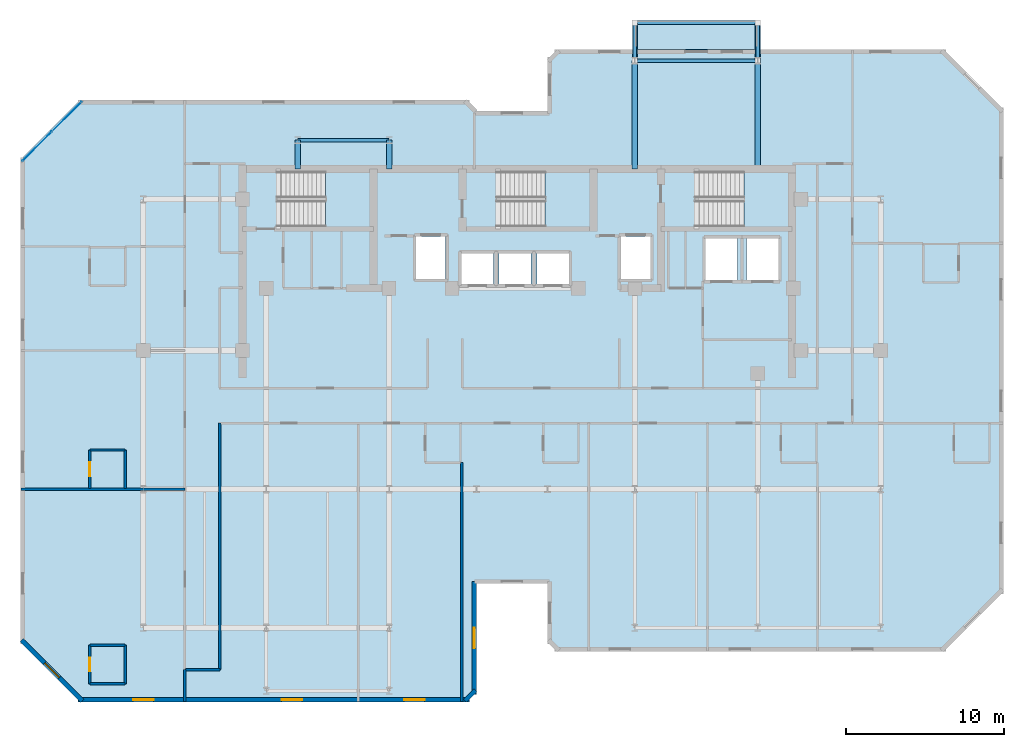
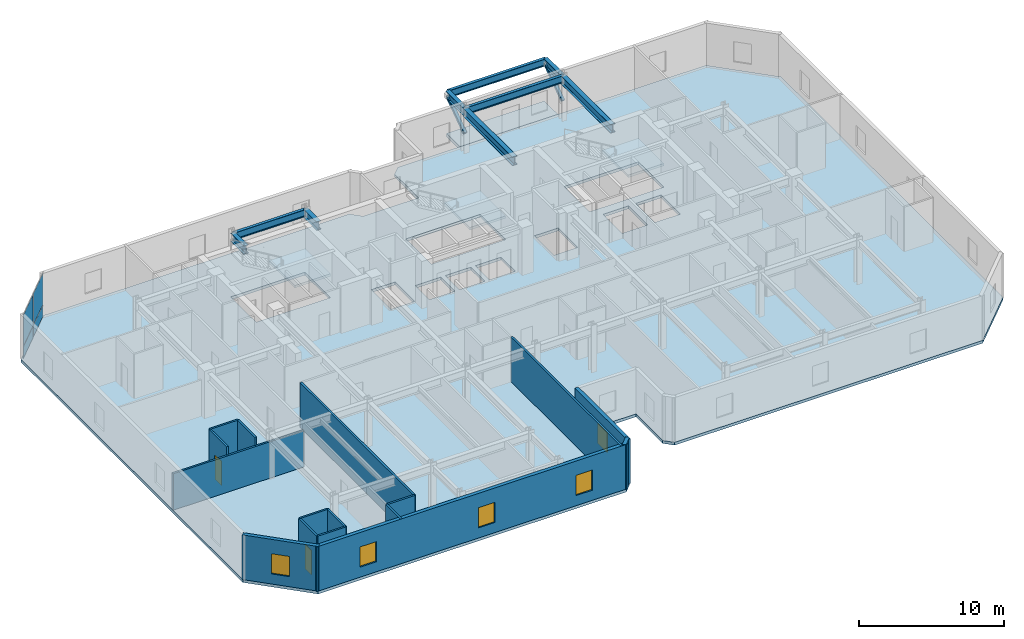
# One storey, part 3 of 9: 16 walls, 9 beams, 5 slabs, 5 windows, 4 plates, 2 doors, 2 members, 7 openings, 4 elements without a shape of their own.
"""IFC4 building model written with IfcOpenShell, lengths in metres."""

from ifc_helpers import new_model, si_unit, direction, frame, frame_2d, origin, origin_2d, place, context, subcontext, project, spatial, polyline, rectangle, hollow_rectangle, i_section, outline, extrude, material, layer, layer_set, material_profile, profile_set, type_object, element, fill, aggregate, save


model = new_model("IFC4")

# Units and contexts
model_context = context("Model", 3, precision=1e-05, world=origin(), true_north=direction((0.0, 1.0)))
body_context = subcontext(model_context, "Body", "Model", "MODEL_VIEW")
ifc_project = project(units=[si_unit("LENGTHUNIT", "METRE"), si_unit("AREAUNIT", "SQUARE_METRE"), si_unit("VOLUMEUNIT", "CUBIC_METRE"), si_unit("PLANEANGLEUNIT", "RADIAN"), si_unit("MASSUNIT", "GRAM", prefix="KILO")], contexts=[model_context])

# Site, building, storey
site_placement = place(None, origin())
site = spatial("IfcSite", under=ifc_project, at=site_placement, CompositionType="ELEMENT")
building_placement = place(site_placement, origin())
building = spatial("IfcBuilding", under=site, at=building_placement, Name="Kestravale Grand Hotel", CompositionType="ELEMENT")
storey_placement = place(building_placement, frame((0.0, 0.0, 257.39990234375)))
storey = spatial("IfcBuildingStorey", under=building, at=storey_placement, Name="L64", CompositionType="ELEMENT", Elevation=257.39990234375)

# Beams
ifc_material_1 = material(Name="Steel ASTM A992 Grade 50", Category="steel")
ifc_material_profile_1 = material_profile(ifc_material_1, i_section(OverallWidth=0.324951171875, OverallDepth=0.612060546875, WebThickness=0.0126953125, FlangeThickness=0.01904296875, FilletRadius=0.018798828125, at=origin_2d()))
ifc_profile_set_1 = profile_set([ifc_material_profile_1], Name="Steel ASTM A992 Grade 50")
beam_type_1 = type_object("IfcBeamType", Name="B-FLR-W24A", PredefinedType="SPANDREL", material=ifc_profile_set_1)
for number, where, z_axis, x_axis, name in (
    (1, (46.800048828125, 47.199951171875, 3.424072265625), (0.0, 1.0, 0.0), (-1.0, 0.0, 0.0), "L65 terrace cantilever beam 1"),
    (2, (54.60009765625, 47.199951171875, 3.424072265625), (0.0, 1.0, 0.0), (-1.0, 0.0, 0.0), "L65 terrace cantilever beam 2"),
):
    element("IfcBeam", number, at=place(storey_placement, frame(where, z_axis=z_axis, x_axis=x_axis)), inside=storey, type_object=beam_type_1, Name=name, PredefinedType="SPANDREL", context=body_context, shape_type="SweptSolid", body=[
        extrude(i_section(OverallWidth=0.324951171875, OverallDepth=0.612060546875, WebThickness=0.0126953125, FlangeThickness=0.01904296875, FilletRadius=0.018798828125, at=origin_2d()), origin(), (0.0, 0.0, 1.0), 2.400146484375),
    ])
ifc_material_2 = material(Name="Steel ASTM A992 Grade 50", Category="steel")
ifc_material_profile_2 = material_profile(ifc_material_2, i_section(OverallWidth=0.22900390625, OverallDepth=0.612060546875, WebThickness=0.011962890625, FlangeThickness=0.01953125, FilletRadius=0.019287109375, at=origin_2d()))
ifc_profile_set_2 = profile_set([ifc_material_profile_2], Name="Steel ASTM A992 Grade 50")
beam_type_2 = type_object("IfcBeamType", Name="B-FLR-W24B", PredefinedType="SPANDREL", material=ifc_profile_set_2)
beam_1_placement = place(storey_placement, frame((46.800048828125, 47.199951171875, 3.4541015625), z_axis=(1.0, 0.0, 0.0), x_axis=(0.0, 1.0, 0.0)))
element("IfcBeam", 3, at=beam_1_placement, inside=storey, type_object=beam_type_2, Name="L64 spandrel G:8-9", PredefinedType="SPANDREL", context=body_context, shape_type="SweptSolid", body=[
    extrude(i_section(OverallWidth=0.22900390625, OverallDepth=0.612060546875, WebThickness=0.011962890625, FlangeThickness=0.01953125, FilletRadius=0.019287109375, at=origin_2d()), origin(), (0.0, 0.0, 1.0), 7.800048828125),
])
beam_2_placement = place(storey_placement, frame((25.39990234375, 42.14990234375, 3.4541015625), z_axis=(1.0, 0.0, 0.0), x_axis=(0.0, 1.0, 0.0)))
element("IfcBeam", 4, at=beam_2_placement, inside=storey, type_object=beam_type_2, Name="L64 perimeter tie spandrel FN:4-5", PredefinedType="SPANDREL", context=body_context, shape_type="SweptSolid", body=[
    extrude(i_section(OverallWidth=0.22900390625, OverallDepth=0.612060546875, WebThickness=0.011962890625, FlangeThickness=0.01953125, FilletRadius=0.019287109375, at=origin_2d()), origin(), (0.0, 0.0, 1.0), 5.800048828125),
])
beam_3_placement = place(storey_placement, frame((46.800048828125, 49.60009765625, 3.424072265625), z_axis=(1.0, 0.0, 0.0), x_axis=(0.0, 1.0, 0.0)))
element("IfcBeam", 5, at=beam_3_placement, inside=storey, type_object=beam_type_2, Name="L65 terrace edge spandrel", PredefinedType="SPANDREL", context=body_context, shape_type="SweptSolid", body=[
    extrude(i_section(OverallWidth=0.22900390625, OverallDepth=0.612060546875, WebThickness=0.011962890625, FlangeThickness=0.01953125, FilletRadius=0.019287109375, at=origin_2d()), origin(), (0.0, 0.0, 1.0), 7.800048828125),
])
ifc_material_3 = material(Name="Steel ASTM A992 Grade 50", Category="steel")
ifc_material_profile_3 = material_profile(ifc_material_3, i_section(OverallWidth=0.35595703125, OverallDepth=0.696044921875, WebThickness=0.015380859375, FlangeThickness=0.02490234375, FilletRadius=0.021240234375, at=origin_2d()))
ifc_profile_set_3 = profile_set([ifc_material_profile_3], Name="Steel ASTM A992 Grade 50")
beam_type_3 = type_object("IfcBeamType", Name="B-GRD-W27", PredefinedType="BEAM", material=ifc_profile_set_3)
for number, where, z_axis, x_axis, name in (
    (6, (25.39990234375, 40.320068359375, 3.412109375), (0.0, 1.0, 0.0), (-1.0, 0.0, 0.0), "L64 north wing tie girder 4:CN-FN"),
    (7, (31.199951171875, 40.320068359375, 3.412109375), (0.0, 1.0, 0.0), (-1.0, 0.0, 0.0), "L64 north wing tie girder 5:CN-FN"),
):
    element("IfcBeam", number, at=place(storey_placement, frame(where, z_axis=z_axis, x_axis=x_axis)), inside=storey, type_object=beam_type_3, Name=name, PredefinedType="BEAM", context=body_context, shape_type="SweptSolid", body=[
        extrude(i_section(OverallWidth=0.35595703125, OverallDepth=0.696044921875, WebThickness=0.015380859375, FlangeThickness=0.02490234375, FilletRadius=0.021240234375, at=origin_2d()), origin(), (0.0, 0.0, 1.0), 1.829833984375),
    ])
for number, where, z_axis, x_axis, name in (
    (8, (46.800048828125, 40.320068359375, 3.412109375), (0.0, 1.0, 0.0), (-1.0, 0.0, 0.0), "L64 north wing tie girder 8:CN-G"),
    (9, (54.60009765625, 40.320068359375, 3.412109375), (0.0, 1.0, 0.0), (-1.0, 0.0, 0.0), "L64 north wing tie girder 9:CN-G"),
):
    element("IfcBeam", number, at=place(storey_placement, frame(where, z_axis=z_axis, x_axis=x_axis)), inside=storey, type_object=beam_type_3, Name=name, PredefinedType="BEAM", context=body_context, shape_type="SweptSolid", body=[
        extrude(i_section(OverallWidth=0.35595703125, OverallDepth=0.696044921875, WebThickness=0.015380859375, FlangeThickness=0.02490234375, FilletRadius=0.021240234375, at=origin_2d()), origin(), (0.0, 0.0, 1.0), 6.8798828125),
    ])

# Members
ifc_material_4 = material(Name="Steel ASTM A500 Grade C", Category="steel")
ifc_material_profile_4 = material_profile(ifc_material_4, hollow_rectangle(XDim=0.25, YDim=0.25, WallThickness=0.011962890625, InnerFilletRadius=0.011962890625, OuterFilletRadius=0.02392578125, at=origin_2d()))
ifc_profile_set_4 = profile_set([ifc_material_profile_4], Name="Steel ASTM A500 Grade C")
member_type = type_object("IfcMemberType", Name="M-BLT-STR250", PredefinedType="STRUT", material=ifc_profile_set_4)
for number, where, z_axis, x_axis, name in (
    (10, (46.800048828125, 47.199951171875, 1.57421875), (0.0, 0.816048950856, 0.577982793694), (-1.0, 0.0, 0.0), "L65 terrace knee-brace strut 1"),
    (11, (54.60009765625, 47.199951171875, 1.57421875), (0.0, 0.816048950856, 0.577982793694), (-1.0, 0.0, 0.0), "L65 terrace knee-brace strut 2"),
):
    element("IfcMember", number, at=place(storey_placement, frame(where, z_axis=z_axis, x_axis=x_axis)), inside=storey, type_object=member_type, Name=name, PredefinedType="STRUT", context=body_context, shape_type="SweptSolid", body=[
        extrude(hollow_rectangle(XDim=0.25, YDim=0.25, WallThickness=0.011962890625, InnerFilletRadius=0.011962890625, OuterFilletRadius=0.02392578125, at=origin_2d()), origin(), (0.0, 0.0, 1.0), 2.941162109375),
    ])

# Curtain wall, plates
ifc_material_5 = material(Name="Thermally broken champagne-bronze aluminium and low-E glazing", Category="aluminium")
ifc_layer_1 = layer(ifc_material_5, 0.179931640625)
ifc_layer_set_1 = layer_set([ifc_layer_1], Name="CW-Z4")
curtain_wall_type = type_object("IfcCurtainWallType", Name="CW-Z4", PredefinedType="NOTDEFINED", material=ifc_layer_set_1)
curtain_wall_placement = place(storey_placement, origin())
curtain_wall = element("IfcCurtainWall", 12, at=curtain_wall_placement, inside=storey, type_object=curtain_wall_type, Name="L64 unitised curtain wall 18", PredefinedType="NOTDEFINED")
ifc_material_6 = material(Name="Insulated clear low-E double glazing IGU", Category="glass")
ifc_layer_2 = layer(ifc_material_6, 0.028076171875)
ifc_layer_set_2 = layer_set([ifc_layer_2], Name="CW-PNL-28")
plate_type = type_object("IfcPlateType", Name="CW-PNL-28", PredefinedType="CURTAIN_PANEL", material=ifc_layer_set_2)
plate_1_placement = place(storey_placement, frame((10.74462890625, 43.646728515625, 0.06494140625), z_axis=(0.0, 0.0, 1.0), x_axis=(-0.707106781187, -0.707106781187, 0.0)))
plate_1 = element("IfcPlate", 13, at=plate_1_placement, type_object=plate_type, Name="CW-Z4 panel 1.1", PredefinedType="CURTAIN_PANEL", context=body_context, shape_type="SweptSolid", body=[
    extrude(rectangle(XDim=2.609619140625, YDim=0.028076171875, at=origin_2d()), origin(), (0.0, 0.0, 1.0), 0.952392578125),
])
plate_2_placement = place(storey_placement, frame((10.74462890625, 43.646728515625, 1.08251953125), z_axis=(0.0, 0.0, 1.0), x_axis=(-0.707106781187, -0.707106781187, 0.0)))
plate_2 = element("IfcPlate", 14, at=plate_2_placement, type_object=plate_type, Name="CW-Z4 panel 1.2", PredefinedType="CURTAIN_PANEL", context=body_context, shape_type="SweptSolid", body=[
    extrude(rectangle(XDim=2.609619140625, YDim=0.028076171875, at=origin_2d()), origin(), (0.0, 0.0, 1.0), 2.612548828125),
])
plate_3_placement = place(storey_placement, frame((8.853271484375, 41.75537109375, 0.06494140625), z_axis=(0.0, 0.0, 1.0), x_axis=(-0.707106781187, -0.707106781187, 0.0)))
plate_3 = element("IfcPlate", 15, at=plate_3_placement, type_object=plate_type, Name="CW-Z4 panel 2.1", PredefinedType="CURTAIN_PANEL", context=body_context, shape_type="SweptSolid", body=[
    extrude(rectangle(XDim=2.609619140625, YDim=0.028076171875, at=origin_2d()), origin(), (0.0, 0.0, 1.0), 0.952392578125),
])
plate_4_placement = place(storey_placement, frame((8.853271484375, 41.75537109375, 1.08251953125), z_axis=(0.0, 0.0, 1.0), x_axis=(-0.707106781187, -0.707106781187, 0.0)))
plate_4 = element("IfcPlate", 16, at=plate_4_placement, type_object=plate_type, Name="CW-Z4 panel 2.2", PredefinedType="CURTAIN_PANEL", context=body_context, shape_type="SweptSolid", body=[
    extrude(rectangle(XDim=2.609619140625, YDim=0.028076171875, at=origin_2d()), origin(), (0.0, 0.0, 1.0), 2.612548828125),
])
aggregate(curtain_wall, [plate_1, plate_2, plate_3, plate_4])

# Slab
ifc_material_7 = material(Name="Concrete f'c 45 MPa", Category="concrete")
ifc_layer_3 = layer(ifc_material_7, 0.27001953125)
ifc_layer_set_3 = layer_set([ifc_layer_3], Name="ES-TERR-270")
slab_type_1 = type_object("IfcSlabType", Name="ES-TERR-270", PredefinedType="FLOOR", material=ifc_layer_set_3)
slab_1_placement = place(storey_placement, frame((0.0, 0.0, -0.27001953125)))
element("IfcSlab", 17, at=slab_1_placement, inside=storey, type_object=slab_type_1, Name="L64 spiralling planted garden terrace", PredefinedType="FLOOR", context=body_context, shape_type="SweptSolid", body=[
    extrude(outline(polyline([(46.800048828125, 47.89990234375), (54.60009765625, 47.89990234375), (54.60009765625, 49.75), (46.800048828125, 49.75), (46.800048828125, 47.89990234375)])), origin(), (0.0, 0.0, 1.0), 0.27001953125),
])

# Stair, slab
ifc_material_8 = material(Name="Concrete f'c 45 MPa", Category="concrete")
stair_type = type_object("IfcStairType", Name="ST-CORE-400", PredefinedType="HALF_TURN_STAIR", material=ifc_material_8)
stair_1_placement = place(storey_placement, origin())
stair_1 = element("IfcStair", 18, at=stair_1_placement, inside=storey, type_object=stair_type, Name="L64 ST-1", PredefinedType="HALF_TURN_STAIR")
ifc_material_9 = material(Name="Concrete f'c 45 MPa", Category="concrete")
ifc_layer_4 = layer(ifc_material_9, 0.199951171875)
ifc_layer_set_4 = layer_set([ifc_layer_4], Name="SLB-ST-LND200")
slab_type_2 = type_object("IfcSlabType", Name="SLB-ST-LND200", PredefinedType="LANDING", material=ifc_layer_set_4)
slab_2_placement = place(storey_placement, frame((0.0, 0.0, 1.800048828125)))
slab_2 = element("IfcSlab", 19, at=slab_2_placement, type_object=slab_type_2, Name="ST-1 landing 1", PredefinedType="LANDING", context=body_context, shape_type="SweptSolid", body=[
    extrude(outline(polyline([(27.159912109375, 36.64990234375), (30.0, 36.64990234375), (30.0, 40.159912109375), (27.159912109375, 40.159912109375), (27.159912109375, 36.64990234375)])), origin(), (0.0, 0.0, 1.0), 0.199951171875),
])
aggregate(stair_1, [slab_2])

stair_2_placement = place(storey_placement, origin())
stair_2 = element("IfcStair", 20, at=stair_2_placement, inside=storey, type_object=stair_type, Name="L64 ST-2", PredefinedType="HALF_TURN_STAIR")
slab_3_placement = place(storey_placement, frame((0.0, 0.0, 1.800048828125)))
slab_3 = element("IfcSlab", 21, at=slab_3_placement, type_object=slab_type_2, Name="ST-2 landing 1", PredefinedType="LANDING", context=body_context, shape_type="SweptSolid", body=[
    extrude(outline(polyline([(41.110107421875, 36.64990234375), (43.949951171875, 36.64990234375), (43.949951171875, 40.159912109375), (41.110107421875, 40.159912109375), (41.110107421875, 36.64990234375)])), origin(), (0.0, 0.0, 1.0), 0.199951171875),
])
aggregate(stair_2, [slab_3])

stair_3_placement = place(storey_placement, origin())
stair_3 = element("IfcStair", 22, at=stair_3_placement, inside=storey, type_object=stair_type, Name="L64 ST-3", PredefinedType="HALF_TURN_STAIR")
slab_4_placement = place(storey_placement, frame((0.0, 0.0, 1.800048828125)))
slab_4 = element("IfcSlab", 23, at=slab_4_placement, type_object=slab_type_2, Name="ST-3 landing 1", PredefinedType="LANDING", context=body_context, shape_type="SweptSolid", body=[
    extrude(outline(polyline([(53.7099609375, 36.64990234375), (56.550048828125, 36.64990234375), (56.550048828125, 40.159912109375), (53.7099609375, 40.159912109375), (53.7099609375, 36.64990234375)])), origin(), (0.0, 0.0, 1.0), 0.199951171875),
])
aggregate(stair_3, [slab_4])

# Slab
ifc_material_10 = material(Name="Concrete f'c 45 MPa", Category="concrete")
ifc_layer_5 = layer(ifc_material_10, 0.239990234375)
ifc_layer_set_5 = layer_set([ifc_layer_5], Name="SS-FLR-240")
slab_type_3 = type_object("IfcSlabType", Name="SS-FLR-240", PredefinedType="FLOOR", material=ifc_layer_set_5)
slab_5_placement = place(storey_placement, frame((0.0, 0.0, -0.239990234375)))
element("IfcSlab", 24, at=slab_5_placement, inside=storey, type_object=slab_type_3, Name="L64 structural floor slab", PredefinedType="FLOOR", context=body_context, shape_type="SweptSolid", body=[
    extrude(outline(polyline([(11.60009765625, 6.5), (36.14990234375, 6.5), (36.75, 7.10009765625), (36.75, 14.0), (41.25, 14.0), (41.25, 10.300048828125), (41.85009765625, 9.699951171875), (66.39990234375, 9.699951171875), (70.199951171875, 13.5), (70.199951171875, 44.10009765625), (66.39990234375, 47.89990234375), (41.85009765625, 47.89990234375), (41.25, 47.300048828125), (41.25, 44.0), (36.75, 44.0), (36.75, 44.10009765625), (36.14990234375, 44.699951171875), (11.60009765625, 44.699951171875), (7.800048828125, 40.89990234375), (7.800048828125, 10.300048828125), (11.60009765625, 6.5)]), holes=[polyline([(24.080078125, 36.64990234375), (30.0, 36.64990234375), (30.0, 40.159912109375), (24.080078125, 40.159912109375), (24.080078125, 36.64990234375)]), polyline([(38.030029296875, 36.64990234375), (43.949951171875, 36.64990234375), (43.949951171875, 40.159912109375), (38.030029296875, 40.159912109375), (38.030029296875, 36.64990234375)]), polyline([(50.6298828125, 36.64990234375), (56.550048828125, 36.64990234375), (56.550048828125, 40.159912109375), (50.6298828125, 40.159912109375), (50.6298828125, 36.64990234375)]), polyline([(35.780029296875, 33.030029296875), (37.820068359375, 33.030029296875), (37.820068359375, 34.969970703125), (35.780029296875, 34.969970703125), (35.780029296875, 33.030029296875)]), polyline([(38.179931640625, 33.030029296875), (40.219970703125, 33.030029296875), (40.219970703125, 34.969970703125), (38.179931640625, 34.969970703125), (38.179931640625, 33.030029296875)]), polyline([(40.580078125, 33.030029296875), (42.6201171875, 33.030029296875), (42.6201171875, 34.969970703125), (40.580078125, 34.969970703125), (40.580078125, 33.030029296875)]), polyline([(32.905029296875, 33.35498046875), (34.794921875, 33.35498046875), (34.794921875, 36.044921875), (32.905029296875, 36.044921875), (32.905029296875, 33.35498046875)]), polyline([(45.905029296875, 33.35498046875), (47.794921875, 33.35498046875), (47.794921875, 36.044921875), (45.905029296875, 36.044921875), (45.905029296875, 33.35498046875)]), polyline([(51.280029296875, 33.280029296875), (53.320068359375, 33.280029296875), (53.320068359375, 35.919921875), (51.280029296875, 35.919921875), (51.280029296875, 33.280029296875)]), polyline([(53.8798828125, 33.280029296875), (55.919921875, 33.280029296875), (55.919921875, 35.919921875), (53.8798828125, 35.919921875), (53.8798828125, 33.280029296875)])]), origin(), (0.0, 0.0, 1.0), 0.239990234375),
])

# Wall, openings, windows
ifc_material_11 = material(Name="Precast concrete f'c 45 MPa", Category="concrete")
ifc_layer_6 = layer(ifc_material_11, 0.280029296875)
ifc_layer_set_6 = layer_set([ifc_layer_6], Name="EW-PREC-280")
wall_type_1 = type_object("IfcWallType", Name="EW-PREC-280", PredefinedType="SOLIDWALL", material=ifc_layer_set_6)
wall_1_placement = place(storey_placement, frame((11.4599609375, 6.639892578125, 0.0), z_axis=(0.0, 0.0, 1.0), x_axis=(1.0, 0.0, 0.0)))
wall_1 = element("IfcWall", 25, at=wall_1_placement, inside=storey, type_object=wall_type_1, Name="L64 fluted precast facade wall 1", PredefinedType="SOLIDWALL", context=body_context, shape_type="SweptSolid", body=[
    extrude(rectangle(XDim=24.830078125, YDim=0.280029296875, at=frame_2d((12.4150390625, 0.0))), origin(), (0.0, 0.0, 1.0), 3.760009765625),
])
opening_1_placement = place(wall_1_placement, frame((3.48828125, 0.0, 0.85009765625)))
opening_1 = element("IfcOpeningElement", 26, at=opening_1_placement, cuts=wall_1, Name="Opening W-GUEST-1300", PredefinedType="OPENING", context=body_context, shape_type="SweptSolid", body=[
    extrude(rectangle(XDim=1.300048828125, YDim=1.699951171875, at=frame_2d((0.64990234375, 0.85009765625))), frame((0.0, 0.14990234375, 0.0), z_axis=(0.0, -1.0, 0.0), x_axis=(1.0, 0.0, 0.0)), (0.0, 0.0, 1.0), 0.300048828125),
])
opening_2_placement = place(wall_1_placement, frame((12.9150390625, 0.0, 0.85009765625)))
opening_2 = element("IfcOpeningElement", 27, at=opening_2_placement, cuts=wall_1, Name="Opening W-GUEST-1300", PredefinedType="OPENING", context=body_context, shape_type="SweptSolid", body=[
    extrude(rectangle(XDim=1.300048828125, YDim=1.699951171875, at=frame_2d((0.64990234375, 0.85009765625))), frame((0.0, 0.14990234375, 0.0), z_axis=(0.0, -1.0, 0.0), x_axis=(1.0, 0.0, 0.0)), (0.0, 0.0, 1.0), 0.300048828125),
])
opening_3_placement = place(wall_1_placement, frame((20.691650390625, 0.0, 0.85009765625)))
opening_3 = element("IfcOpeningElement", 28, at=opening_3_placement, cuts=wall_1, Name="Opening W-GUEST-1300", PredefinedType="OPENING", context=body_context, shape_type="SweptSolid", body=[
    extrude(rectangle(XDim=1.300048828125, YDim=1.699951171875, at=frame_2d((0.64990234375, 0.85009765625))), frame((0.0, 0.14990234375, 0.0), z_axis=(0.0, -1.0, 0.0), x_axis=(1.0, 0.0, 0.0)), (0.0, 0.0, 1.0), 0.300048828125),
])
ifc_material_12 = material(Name="Insulated low-E double glazing in aluminium frame", Category="aluminium")
window_type = type_object("IfcWindowType", Name="W-GUEST-1300", PartitioningType="SINGLE_PANEL", PredefinedType="WINDOW", material=ifc_material_12)
window_1_placement = place(opening_1_placement, origin())
window_1 = element("IfcWindow", 29, at=window_1_placement, inside=storey, type_object=window_type, Name="L64 exterior window 1.1", OverallHeight=1.699951171875, OverallWidth=1.300048828125, PartitioningType="SINGLE_PANEL", PredefinedType="WINDOW", context=body_context, shape_type="SweptSolid", body=[
    extrude(rectangle(XDim=1.300048828125, YDim=1.699951171875, at=frame_2d((0.64990234375, 0.85009765625))), frame((0.0, 0.030029296875, 0.0), z_axis=(0.0, -1.0, 0.0), x_axis=(1.0, 0.0, 0.0)), (0.0, 0.0, 1.0), 0.06005859375),
])
fill(opening_1, window_1)
window_2_placement = place(opening_2_placement, origin())
window_2 = element("IfcWindow", 30, at=window_2_placement, inside=storey, type_object=window_type, Name="L64 exterior window 1.2", OverallHeight=1.699951171875, OverallWidth=1.300048828125, PartitioningType="SINGLE_PANEL", PredefinedType="WINDOW", context=body_context, shape_type="SweptSolid", body=[
    extrude(rectangle(XDim=1.300048828125, YDim=1.699951171875, at=frame_2d((0.64990234375, 0.85009765625))), frame((0.0, 0.030029296875, 0.0), z_axis=(0.0, -1.0, 0.0), x_axis=(1.0, 0.0, 0.0)), (0.0, 0.0, 1.0), 0.06005859375),
])
fill(opening_2, window_2)
window_3_placement = place(opening_3_placement, origin())
window_3 = element("IfcWindow", 31, at=window_3_placement, inside=storey, type_object=window_type, Name="L64 exterior window 1.3", OverallHeight=1.699951171875, OverallWidth=1.300048828125, PartitioningType="SINGLE_PANEL", PredefinedType="WINDOW", context=body_context, shape_type="SweptSolid", body=[
    extrude(rectangle(XDim=1.300048828125, YDim=1.699951171875, at=frame_2d((0.64990234375, 0.85009765625))), frame((0.0, 0.030029296875, 0.0), z_axis=(0.0, -1.0, 0.0), x_axis=(1.0, 0.0, 0.0)), (0.0, 0.0, 1.0), 0.06005859375),
])
fill(opening_3, window_3)

# Wall
wall_2_placement = place(storey_placement, frame((36.022705078125, 6.57080078125, 0.0), z_axis=(0.0, 0.0, 1.0), x_axis=(0.707106781187, 0.707106781187, 0.0)))
element("IfcWall", 32, at=wall_2_placement, inside=storey, type_object=wall_type_1, Name="L64 fluted precast facade wall 2", PredefinedType="SOLIDWALL", context=body_context, shape_type="SweptSolid", body=[
    extrude(rectangle(XDim=0.928466796875, YDim=0.280029296875, at=frame_2d((0.46435546875, 0.0))), origin(), (0.0, 0.0, 1.0), 3.760009765625),
])

# Wall, opening, window
wall_3_placement = place(storey_placement, frame((36.610107421875, 6.9599609375, 0.0), z_axis=(0.0, 0.0, 1.0), x_axis=(0.0, 1.0, 0.0)))
wall_3 = element("IfcWall", 33, at=wall_3_placement, inside=storey, type_object=wall_type_1, Name="L64 fluted precast facade wall 3", PredefinedType="SOLIDWALL", context=body_context, shape_type="SweptSolid", body=[
    extrude(rectangle(XDim=7.179931640625, YDim=0.280029296875, at=frame_2d((3.58984375, 0.0))), origin(), (0.0, 0.0, 1.0), 3.760009765625),
])
opening_4_placement = place(wall_3_placement, frame((2.93994140625, 0.0, 0.85009765625)))
opening_4 = element("IfcOpeningElement", 34, at=opening_4_placement, cuts=wall_3, Name="Opening W-GUEST-1300", PredefinedType="OPENING", context=body_context, shape_type="SweptSolid", body=[
    extrude(rectangle(XDim=1.300048828125, YDim=1.699951171875, at=frame_2d((0.64990234375, 0.85009765625))), frame((0.0, 0.14990234375, 0.0), z_axis=(0.0, -1.0, 0.0), x_axis=(1.0, 0.0, 0.0)), (0.0, 0.0, 1.0), 0.300048828125),
])
window_4_placement = place(opening_4_placement, origin())
window_4 = element("IfcWindow", 35, at=window_4_placement, inside=storey, type_object=window_type, Name="L64 exterior window 3.1", OverallHeight=1.699951171875, OverallWidth=1.300048828125, PartitioningType="SINGLE_PANEL", PredefinedType="WINDOW", context=body_context, shape_type="SweptSolid", body=[
    extrude(rectangle(XDim=1.300048828125, YDim=1.699951171875, at=frame_2d((0.64990234375, 0.85009765625))), frame((0.0, 0.030029296875, 0.0), z_axis=(0.0, -1.0, 0.0), x_axis=(1.0, 0.0, 0.0)), (0.0, 0.0, 1.0), 0.06005859375),
])
fill(opening_4, window_4)

wall_4_placement = place(storey_placement, frame((7.87060546875, 10.42724609375, 0.0), z_axis=(0.0, 0.0, 1.0), x_axis=(0.707129162587, -0.707084399077, 0.0)))
wall_4 = element("IfcWall", 36, at=wall_4_placement, inside=storey, type_object=wall_type_1, Name="L64 fluted precast facade wall 20", PredefinedType="SOLIDWALL", context=body_context, shape_type="SweptSolid", body=[
    extrude(rectangle(XDim=5.4541015625, YDim=0.280029296875, at=frame_2d((2.72705078125, 0.0))), origin(), (0.0, 0.0, 1.0), 3.760009765625),
])
opening_5_placement = place(wall_4_placement, frame((2.076904296875, 0.0, 0.85009765625)))
opening_5 = element("IfcOpeningElement", 37, at=opening_5_placement, cuts=wall_4, Name="Opening W-GUEST-1300", PredefinedType="OPENING", context=body_context, shape_type="SweptSolid", body=[
    extrude(rectangle(XDim=1.300048828125, YDim=1.699951171875, at=frame_2d((0.64990234375, 0.85009765625))), frame((0.0, 0.14990234375, 0.0), z_axis=(0.0, -1.0, 0.0), x_axis=(1.0, 0.0, 0.0)), (0.0, 0.0, 1.0), 0.300048828125),
])
window_5_placement = place(opening_5_placement, origin())
window_5 = element("IfcWindow", 38, at=window_5_placement, inside=storey, type_object=window_type, Name="L64 exterior window 20.1", OverallHeight=1.699951171875, OverallWidth=1.300048828125, PartitioningType="SINGLE_PANEL", PredefinedType="WINDOW", context=body_context, shape_type="SweptSolid", body=[
    extrude(rectangle(XDim=1.300048828125, YDim=1.699951171875, at=frame_2d((0.64990234375, 0.85009765625))), frame((0.0, 0.030029296875, 0.0), z_axis=(0.0, -1.0, 0.0), x_axis=(1.0, 0.0, 0.0)), (0.0, 0.0, 1.0), 0.06005859375),
])
fill(opening_5, window_5)

# Wall
ifc_material_13 = material(Name="Acoustic fire-rated gypsum board partition", Category="other")
ifc_layer_7 = layer(ifc_material_13, 0.159912109375)
ifc_layer_set_7 = layer_set([ifc_layer_7], Name="IW-CORR-160")
wall_type_2 = type_object("IfcWallType", Name="IW-CORR-160", PredefinedType="PARTITIONING", material=ifc_layer_set_7)
wall_5_placement = place(storey_placement, frame((20.4599609375, 8.550048828125, 0.0), z_axis=(0.0, 0.0, 1.0), x_axis=(0.0, 1.0, 0.0)))
element("IfcWall", 39, at=wall_5_placement, inside=storey, type_object=wall_type_2, Name="W-L64-SW-E", PredefinedType="PARTITIONING", context=body_context, shape_type="SweptSolid", body=[
    extrude(rectangle(XDim=15.639892578125, YDim=0.159912109375, at=frame_2d((7.81982421875, 0.0))), origin(), (0.0, 0.0, 1.0), 3.760009765625),
])

# Wall, opening, door
ifc_material_14 = material(Name="Moisture-resistant tile-backer plumbing chase wall", Category="other")
ifc_layer_8 = layer(ifc_material_14, 0.139892578125)
ifc_layer_set_8 = layer_set([ifc_layer_8], Name="IW-PLB-140")
wall_type_3 = type_object("IfcWallType", Name="IW-PLB-140", PredefinedType="PLUMBINGWALL", material=ifc_layer_set_8)
wall_6_placement = place(storey_placement, frame((12.199951171875, 7.64990234375, 0.0), z_axis=(0.0, 0.0, 1.0), x_axis=(0.0, 1.0, 0.0)))
wall_6 = element("IfcWall", 40, at=wall_6_placement, inside=storey, type_object=wall_type_3, Name="W-L64-U04-BW", PredefinedType="PLUMBINGWALL", context=body_context, shape_type="SweptSolid", body=[
    extrude(rectangle(XDim=2.4501953125, YDim=0.139892578125, at=frame_2d((1.22509765625, 0.0))), origin(), (0.0, 0.0, 1.0), 3.760009765625),
])
opening_6_placement = place(wall_6_placement, frame((0.784912109375, 0.0, 0.0)))
opening_6 = element("IfcOpeningElement", 41, at=opening_6_placement, cuts=wall_6, Name="Opening D-BATH-880", PredefinedType="OPENING", context=body_context, shape_type="SweptSolid", body=[
    extrude(rectangle(XDim=0.8798828125, YDim=2.050048828125, at=frame_2d((0.43994140625, 1.02490234375))), frame((0.0, 0.079833984375, 0.0), z_axis=(0.0, -1.0, 0.0), x_axis=(1.0, 0.0, 0.0)), (0.0, 0.0, 1.0), 0.159912109375),
])
ifc_material_15 = material(Name="Moisture-sealed walnut en-suite bathroom door", Category="wood")
door_type = type_object("IfcDoorType", Name="D-BATH-880", OperationType="NOTDEFINED", PredefinedType="DOOR", material=ifc_material_15)
door_1_placement = place(opening_6_placement, origin())
door_1 = element("IfcDoor", 42, at=door_1_placement, inside=storey, type_object=door_type, Name="D-L64-U04-BATH", OperationType="SINGLE_SWING_RIGHT", OverallHeight=2.050048828125, OverallWidth=0.8798828125, PredefinedType="DOOR", context=body_context, shape_type="SweptSolid", body=[
    extrude(rectangle(XDim=0.8798828125, YDim=2.050048828125, at=frame_2d((0.43994140625, 1.02490234375))), frame((0.0, 0.02490234375, 0.0), z_axis=(0.0, -1.0, 0.0), x_axis=(1.0, 0.0, 0.0)), (0.0, 0.0, 1.0), 0.050048828125),
])
fill(opening_6, door_1)

# Walls
wall_7_placement = place(storey_placement, frame((14.449951171875, 7.64990234375, 0.0), z_axis=(0.0, 0.0, 1.0), x_axis=(0.0, 1.0, 0.0)))
element("IfcWall", 43, at=wall_7_placement, inside=storey, type_object=wall_type_3, Name="W-L64-U04-BE", PredefinedType="PLUMBINGWALL", context=body_context, shape_type="SweptSolid", body=[
    extrude(rectangle(XDim=2.4501953125, YDim=0.139892578125, at=frame_2d((1.22509765625, 0.0))), origin(), (0.0, 0.0, 1.0), 3.760009765625),
])
for number, where, z_axis, x_axis, name in (
    (44, (12.199951171875, 7.64990234375, 0.0), (0.0, 0.0, 1.0), (1.0, 0.0, 0.0), "W-L64-U04-BS"),
    (45, (12.199951171875, 10.10009765625, 0.0), (0.0, 0.0, 1.0), (1.0, 0.0, 0.0), "W-L64-U04-BN"),
):
    element("IfcWall", number, at=place(storey_placement, frame(where, z_axis=z_axis, x_axis=x_axis)), inside=storey, type_object=wall_type_3, Name=name, PredefinedType="PLUMBINGWALL", context=body_context, shape_type="SweptSolid", body=[
        extrude(rectangle(XDim=2.25, YDim=0.139892578125, at=frame_2d((1.125, 0.0))), origin(), (0.0, 0.0, 1.0), 3.760009765625),
    ])

# Wall, opening, door
wall_8_placement = place(storey_placement, frame((12.199951171875, 20.0400390625, 0.0), z_axis=(0.0, 0.0, 1.0), x_axis=(0.0, 1.0, 0.0)))
wall_8 = element("IfcWall", 46, at=wall_8_placement, inside=storey, type_object=wall_type_3, Name="W-L64-U05-BW", PredefinedType="PLUMBINGWALL", context=body_context, shape_type="SweptSolid", body=[
    extrude(rectangle(XDim=2.449951171875, YDim=0.139892578125, at=frame_2d((1.22509765625, 0.0))), origin(), (0.0, 0.0, 1.0), 3.760009765625),
])
opening_7_placement = place(wall_8_placement, frame((0.784912109375, 0.0, 0.0)))
opening_7 = element("IfcOpeningElement", 47, at=opening_7_placement, cuts=wall_8, Name="Opening D-BATH-880", PredefinedType="OPENING", context=body_context, shape_type="SweptSolid", body=[
    extrude(rectangle(XDim=0.8798828125, YDim=2.050048828125, at=frame_2d((0.43994140625, 1.02490234375))), frame((0.0, 0.079833984375, 0.0), z_axis=(0.0, -1.0, 0.0), x_axis=(1.0, 0.0, 0.0)), (0.0, 0.0, 1.0), 0.159912109375),
])
door_2_placement = place(opening_7_placement, origin())
door_2 = element("IfcDoor", 48, at=door_2_placement, inside=storey, type_object=door_type, Name="D-L64-U05-BATH", OperationType="SINGLE_SWING_RIGHT", OverallHeight=2.050048828125, OverallWidth=0.8798828125, PredefinedType="DOOR", context=body_context, shape_type="SweptSolid", body=[
    extrude(rectangle(XDim=0.8798828125, YDim=2.050048828125, at=frame_2d((0.43994140625, 1.02490234375))), frame((0.0, 0.02490234375, 0.0), z_axis=(0.0, -1.0, 0.0), x_axis=(1.0, 0.0, 0.0)), (0.0, 0.0, 1.0), 0.050048828125),
])
fill(opening_7, door_2)

# Walls
wall_9_placement = place(storey_placement, frame((14.449951171875, 20.0400390625, 0.0), z_axis=(0.0, 0.0, 1.0), x_axis=(0.0, 1.0, 0.0)))
element("IfcWall", 49, at=wall_9_placement, inside=storey, type_object=wall_type_3, Name="W-L64-U05-BE", PredefinedType="PLUMBINGWALL", context=body_context, shape_type="SweptSolid", body=[
    extrude(rectangle(XDim=2.449951171875, YDim=0.139892578125, at=frame_2d((1.22509765625, 0.0))), origin(), (0.0, 0.0, 1.0), 3.760009765625),
])
wall_10_placement = place(storey_placement, frame((12.199951171875, 22.489990234375, 0.0), z_axis=(0.0, 0.0, 1.0), x_axis=(1.0, 0.0, 0.0)))
element("IfcWall", 50, at=wall_10_placement, inside=storey, type_object=wall_type_3, Name="W-L64-U05-BN", PredefinedType="PLUMBINGWALL", context=body_context, shape_type="SweptSolid", body=[
    extrude(rectangle(XDim=2.25, YDim=0.139892578125, at=frame_2d((1.125, 0.0))), origin(), (0.0, 0.0, 1.0), 3.760009765625),
])
ifc_material_16 = material(Name="Double-stud STC 52 acoustic demising partition", Category="other")
ifc_layer_9 = layer(ifc_material_16, 0.14990234375)
ifc_layer_set_9 = layer_set([ifc_layer_9], Name="IW-UNIT-150")
wall_type_4 = type_object("IfcWallType", Name="IW-UNIT-150", PredefinedType="PARTITIONING", material=ifc_layer_set_9)
wall_11_placement = place(storey_placement, frame((18.239990234375, 8.550048828125, 0.0), z_axis=(0.0, 0.0, 1.0), x_axis=(1.0, 0.0, 0.0)))
element("IfcWall", 51, at=wall_11_placement, inside=storey, type_object=wall_type_4, Name="W-L64-SW-S", PredefinedType="PARTITIONING", context=body_context, shape_type="SweptSolid", body=[
    extrude(rectangle(XDim=2.219970703125, YDim=0.14990234375, at=frame_2d((1.10986328125, 0.0))), origin(), (0.0, 0.0, 1.0), 3.760009765625),
])
wall_12_placement = place(storey_placement, frame((35.800048828125, 6.52001953125, 0.0), z_axis=(0.0, 0.0, 1.0), x_axis=(0.0, 1.0, 0.0)))
element("IfcWall", 52, at=wall_12_placement, inside=storey, type_object=wall_type_4, Name="W-L64-MID-S", PredefinedType="PARTITIONING", context=body_context, shape_type="SweptSolid", body=[
    extrude(rectangle(XDim=15.159912109375, YDim=0.14990234375, at=frame_2d((7.580078125, 0.0))), origin(), (0.0, 0.0, 1.0), 3.760009765625),
])
wall_13_placement = place(storey_placement, frame((18.239990234375, 6.52001953125, 0.0), z_axis=(0.0, 0.0, 1.0), x_axis=(0.0, 1.0, 0.0)))
element("IfcWall", 53, at=wall_13_placement, inside=storey, type_object=wall_type_4, Name="W-L64-SW-EXT", PredefinedType="PARTITIONING", context=body_context, shape_type="SweptSolid", body=[
    extrude(rectangle(XDim=2.030029296875, YDim=0.14990234375, at=frame_2d((1.01513671875, 0.0))), origin(), (0.0, 0.0, 1.0), 3.760009765625),
])
wall_14_placement = place(storey_placement, frame((7.820068359375, 20.0, 0.0), z_axis=(0.0, 0.0, 1.0), x_axis=(1.0, 0.0, 0.0)))
element("IfcWall", 54, at=wall_14_placement, inside=storey, type_object=wall_type_4, Name="W-L64-WW-1", PredefinedType="PARTITIONING", context=body_context, shape_type="SweptSolid", body=[
    extrude(rectangle(XDim=10.419921875, YDim=0.14990234375, at=frame_2d((5.2099609375, 0.0))), origin(), (0.0, 0.0, 1.0), 3.064208984375),
])

save(model, "model.ifc")
